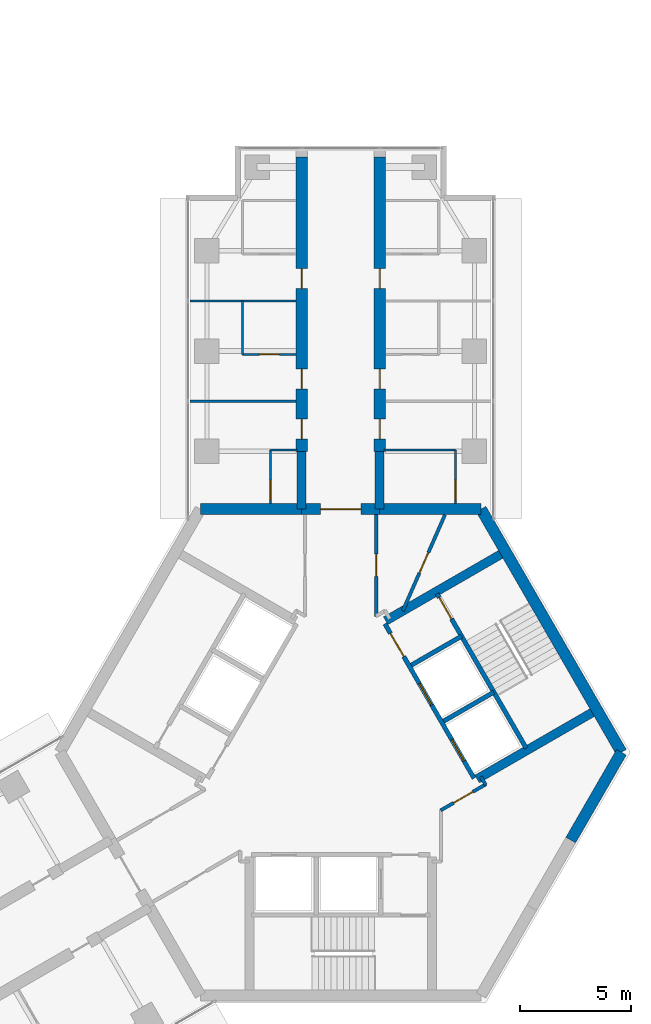
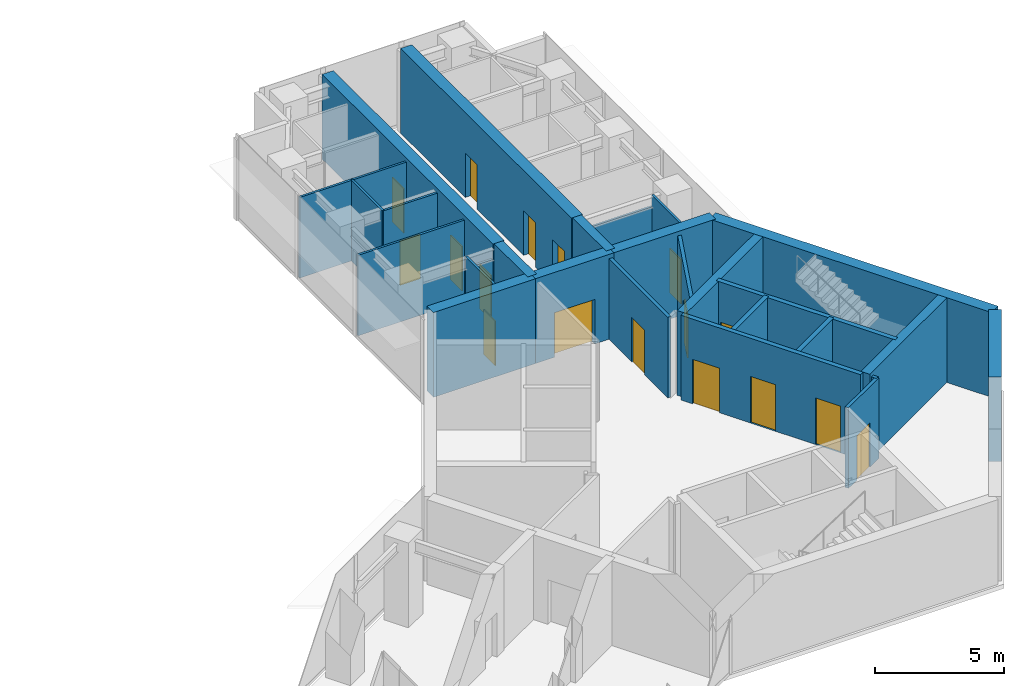
# One storey, part 15 of 18: 27 walls, 17 doors, 17 openings.
"""IFC4 building model written with IfcOpenShell, lengths in metres."""

from ifc_helpers import new_model, si_unit, direction, frame, frame_2d, origin, place, context, subcontext, project, spatial, rectangle, extrude, material, layer, layer_set, type_object, element, fill, save


model = new_model("IFC4")

# Units and contexts
model_context = context("Model", 3, precision=1e-05, world=origin(), true_north=direction((0.0, 1.0)))
body_context = subcontext(model_context, "Body", "Model", "MODEL_VIEW")
ifc_project = project(units=[si_unit("LENGTHUNIT", "METRE"), si_unit("AREAUNIT", "SQUARE_METRE"), si_unit("VOLUMEUNIT", "CUBIC_METRE"), si_unit("PLANEANGLEUNIT", "RADIAN"), si_unit("MASSUNIT", "GRAM", prefix="KILO")], contexts=[model_context])

# Site, building, storey
site_placement = place(None, origin())
site = spatial("IfcSite", under=ifc_project, at=site_placement, CompositionType="ELEMENT")
building_placement = place(site_placement, origin())
building = spatial("IfcBuilding", under=site, at=building_placement, Name="Upepo Twin Towers", CompositionType="ELEMENT")
storey_placement = place(building_placement, frame((0.0, 0.0, 222.5)))
storey = spatial("IfcBuildingStorey", under=building, at=storey_placement, Name="L54", CompositionType="ELEMENT", Elevation=222.5)

# Walls
ifc_material_1 = material(Name="Concrete C60/75", Category="concrete")
ifc_layer_1 = layer(ifc_material_1, 0.39990234375)
ifc_layer_set_1 = layer_set([ifc_layer_1], Name="Concrete C60/75")
wall_type_1 = type_object("IfcWallType", Name="Buttress wall 400 RC", PredefinedType="SHEAR", material=ifc_layer_set_1)
for number, where, z_axis, x_axis, name in (
    (1, (56.75, -7.091552734375, 0.0), (0.0, 0.0, 1.0), (0.0, 1.0, 0.0), "T2 wing A buttress wall L"),
    (2, (60.25, -7.091552734375, 0.0), (0.0, 0.0, 1.0), (0.0, 1.0, 0.0), "T2 wing A buttress wall R"),
):
    element("IfcWall", number, at=place(storey_placement, frame(where, z_axis=z_axis, x_axis=x_axis)), inside=storey, type_object=wall_type_1, Name=name, PredefinedType="SHEAR", context=body_context, shape_type="SweptSolid", body=[
        extrude(rectangle(XDim=2.591552734375, YDim=0.39990234375, at=frame_2d((1.2958984375, 0.0))), origin(), (0.0, 0.0, 1.0), 4.0),
    ])

# Wall, openings, doors
ifc_material_2 = material(Name="Concrete C60/75", Category="concrete")
ifc_layer_2 = layer(ifc_material_2, 0.5)
ifc_layer_set_2 = layer_set([ifc_layer_2], Name="Concrete C60/75")
wall_type_2 = type_object("IfcWallType", Name="Buttress wall 500 RC", PredefinedType="SHEAR", material=ifc_layer_set_2)
wall_1_placement = place(storey_placement, frame((56.75, -4.5, 0.0), z_axis=(0.0, 0.0, 1.0), x_axis=(0.0, 1.0, 0.0)))
wall_1 = element("IfcWall", 3, at=wall_1_placement, inside=storey, type_object=wall_type_2, Name="T2 wing A buttress wall L part 2", PredefinedType="SHEAR", context=body_context, shape_type="SweptSolid", body=[
    extrude(rectangle(XDim=13.199951171875, YDim=0.5, at=frame_2d((6.60009765625, 0.0))), origin(), (0.0, 0.0, 1.0), 4.0),
])
opening_1_placement = place(wall_1_placement, frame((0.550048828125, 0.0, 0.0)))
opening_1 = element("IfcOpeningElement", 4, at=opening_1_placement, cuts=wall_1, Name="Opening D11", PredefinedType="OPENING", context=body_context, shape_type="SweptSolid", body=[
    extrude(rectangle(XDim=0.89990234375, YDim=2.10009765625, at=frame_2d((0.449951171875, 1.050048828125))), frame((0.0, 0.260009765625, 0.0), z_axis=(0.0, -1.0, 0.0), x_axis=(1.0, 0.0, 0.0)), (0.0, 0.0, 1.0), 0.52001953125),
])
opening_2_placement = place(wall_1_placement, frame((2.800048828125, 0.0, 0.0)))
opening_2 = element("IfcOpeningElement", 5, at=opening_2_placement, cuts=wall_1, Name="Opening D14", PredefinedType="OPENING", context=body_context, shape_type="SweptSolid", body=[
    extrude(rectangle(XDim=0.89990234375, YDim=2.10009765625, at=frame_2d((0.449951171875, 1.050048828125))), frame((0.0, 0.260009765625, 0.0), z_axis=(0.0, -1.0, 0.0), x_axis=(1.0, 0.0, 0.0)), (0.0, 0.0, 1.0), 0.52001953125),
])
opening_3_placement = place(wall_1_placement, frame((7.300048828125, 0.0, 0.0)))
opening_3 = element("IfcOpeningElement", 6, at=opening_3_placement, cuts=wall_1, Name="Opening D14", PredefinedType="OPENING", context=body_context, shape_type="SweptSolid", body=[
    extrude(rectangle(XDim=0.89990234375, YDim=2.10009765625, at=frame_2d((0.449951171875, 1.050048828125))), frame((0.0, 0.260009765625, 0.0), z_axis=(0.0, -1.0, 0.0), x_axis=(1.0, 0.0, 0.0)), (0.0, 0.0, 1.0), 0.52001953125),
])
ifc_material_3 = material(Name="Timber doorset", Category="wood")
door_type_1 = type_object("IfcDoorType", Name="Office door 900 FD30", OperationType="SINGLE_SWING_LEFT", PredefinedType="DOOR", material=ifc_material_3)
door_1_placement = place(opening_2_placement, origin())
door_1 = element("IfcDoor", 7, at=door_1_placement, inside=storey, type_object=door_type_1, Name="T2 L54 staff office door", OperationType="SINGLE_SWING_LEFT", OverallHeight=2.10009765625, OverallWidth=0.89990234375, PredefinedType="DOOR", context=body_context, shape_type="SweptSolid", body=[
    extrude(rectangle(XDim=0.89990234375, YDim=2.10009765625, at=frame_2d((0.449951171875, 1.050048828125))), frame((0.0, 0.02490234375, 0.0), z_axis=(0.0, -1.0, 0.0), x_axis=(1.0, 0.0, 0.0)), (0.0, 0.0, 1.0), 0.050048828125),
])
fill(opening_2, door_1)
door_2_placement = place(opening_3_placement, origin())
door_2 = element("IfcDoor", 8, at=door_2_placement, inside=storey, type_object=door_type_1, Name="T2 L54 meeting room door", OperationType="SINGLE_SWING_RIGHT", OverallHeight=2.10009765625, OverallWidth=0.89990234375, PredefinedType="DOOR", context=body_context, shape_type="SweptSolid", body=[
    extrude(rectangle(XDim=0.89990234375, YDim=2.10009765625, at=frame_2d((0.449951171875, 1.050048828125))), frame((0.0, 0.02490234375, 0.0), z_axis=(0.0, -1.0, 0.0), x_axis=(1.0, 0.0, 0.0)), (0.0, 0.0, 1.0), 0.050048828125),
])
fill(opening_3, door_2)
ifc_material_4 = material(Name="Timber doorset", Category="wood")
door_type_2 = type_object("IfcDoorType", Name="Toilet door 900", OperationType="SINGLE_SWING_LEFT", PredefinedType="DOOR", material=ifc_material_4)
door_3_placement = place(opening_1_placement, origin())
door_3 = element("IfcDoor", 9, at=door_3_placement, inside=storey, type_object=door_type_2, Name="T2 L54 toilets door", OperationType="SINGLE_SWING_LEFT", OverallHeight=2.10009765625, OverallWidth=0.89990234375, PredefinedType="DOOR", context=body_context, shape_type="SweptSolid", body=[
    extrude(rectangle(XDim=0.89990234375, YDim=2.10009765625, at=frame_2d((0.449951171875, 1.050048828125))), frame((0.0, 0.02490234375, 0.0), z_axis=(0.0, -1.0, 0.0), x_axis=(1.0, 0.0, 0.0)), (0.0, 0.0, 1.0), 0.050048828125),
])
fill(opening_1, door_3)

wall_2_placement = place(storey_placement, frame((60.25, -4.5, 0.0), z_axis=(0.0, 0.0, 1.0), x_axis=(0.0, 1.0, 0.0)))
wall_2 = element("IfcWall", 10, at=wall_2_placement, inside=storey, type_object=wall_type_2, Name="T2 wing A buttress wall R part 2", PredefinedType="SHEAR", context=body_context, shape_type="SweptSolid", body=[
    extrude(rectangle(XDim=13.199951171875, YDim=0.5, at=frame_2d((6.60009765625, 0.0))), origin(), (0.0, 0.0, 1.0), 4.0),
])
opening_4_placement = place(wall_2_placement, frame((0.550048828125, 0.0, 0.0)))
opening_4 = element("IfcOpeningElement", 11, at=opening_4_placement, cuts=wall_2, Name="Opening D11", PredefinedType="OPENING", context=body_context, shape_type="SweptSolid", body=[
    extrude(rectangle(XDim=0.89990234375, YDim=2.10009765625, at=frame_2d((0.449951171875, 1.050048828125))), frame((0.0, 0.260009765625, 0.0), z_axis=(0.0, -1.0, 0.0), x_axis=(1.0, 0.0, 0.0)), (0.0, 0.0, 1.0), 0.52001953125),
])
opening_5_placement = place(wall_2_placement, frame((2.800048828125, 0.0, 0.0)))
opening_5 = element("IfcOpeningElement", 12, at=opening_5_placement, cuts=wall_2, Name="Opening D14", PredefinedType="OPENING", context=body_context, shape_type="SweptSolid", body=[
    extrude(rectangle(XDim=0.89990234375, YDim=2.10009765625, at=frame_2d((0.449951171875, 1.050048828125))), frame((0.0, 0.260009765625, 0.0), z_axis=(0.0, -1.0, 0.0), x_axis=(1.0, 0.0, 0.0)), (0.0, 0.0, 1.0), 0.52001953125),
])
opening_6_placement = place(wall_2_placement, frame((7.300048828125, 0.0, 0.0)))
opening_6 = element("IfcOpeningElement", 13, at=opening_6_placement, cuts=wall_2, Name="Opening D14", PredefinedType="OPENING", context=body_context, shape_type="SweptSolid", body=[
    extrude(rectangle(XDim=0.89990234375, YDim=2.10009765625, at=frame_2d((0.449951171875, 1.050048828125))), frame((0.0, 0.260009765625, 0.0), z_axis=(0.0, -1.0, 0.0), x_axis=(1.0, 0.0, 0.0)), (0.0, 0.0, 1.0), 0.52001953125),
])
door_4_placement = place(opening_5_placement, origin())
door_4 = element("IfcDoor", 14, at=door_4_placement, inside=storey, type_object=door_type_1, Name="T2 L54 staff office door", OperationType="SINGLE_SWING_LEFT", OverallHeight=2.10009765625, OverallWidth=0.89990234375, PredefinedType="DOOR", context=body_context, shape_type="SweptSolid", body=[
    extrude(rectangle(XDim=0.89990234375, YDim=2.10009765625, at=frame_2d((0.449951171875, 1.050048828125))), frame((0.0, 0.02490234375, 0.0), z_axis=(0.0, -1.0, 0.0), x_axis=(1.0, 0.0, 0.0)), (0.0, 0.0, 1.0), 0.050048828125),
])
fill(opening_5, door_4)
door_5_placement = place(opening_6_placement, origin())
door_5 = element("IfcDoor", 15, at=door_5_placement, inside=storey, type_object=door_type_1, Name="T2 L54 postgraduate office door", OperationType="SINGLE_SWING_RIGHT", OverallHeight=2.10009765625, OverallWidth=0.89990234375, PredefinedType="DOOR", context=body_context, shape_type="SweptSolid", body=[
    extrude(rectangle(XDim=0.89990234375, YDim=2.10009765625, at=frame_2d((0.449951171875, 1.050048828125))), frame((0.0, 0.02490234375, 0.0), z_axis=(0.0, -1.0, 0.0), x_axis=(1.0, 0.0, 0.0)), (0.0, 0.0, 1.0), 0.050048828125),
])
fill(opening_6, door_5)
door_6_placement = place(opening_4_placement, origin())
door_6 = element("IfcDoor", 16, at=door_6_placement, inside=storey, type_object=door_type_2, Name="T2 L54 accessible wc door", OperationType="SINGLE_SWING_LEFT", OverallHeight=2.10009765625, OverallWidth=0.89990234375, PredefinedType="DOOR", context=body_context, shape_type="SweptSolid", body=[
    extrude(rectangle(XDim=0.89990234375, YDim=2.10009765625, at=frame_2d((0.449951171875, 1.050048828125))), frame((0.0, 0.02490234375, 0.0), z_axis=(0.0, -1.0, 0.0), x_axis=(1.0, 0.0, 0.0)), (0.0, 0.0, 1.0), 0.050048828125),
])
fill(opening_4, door_6)

# Wall
ifc_material_5 = material(Name="Concrete C60/75", Category="concrete")
ifc_layer_3 = layer(ifc_material_5, 0.5)
ifc_layer_set_3 = layer_set([ifc_layer_3], Name="Concrete C60/75")
wall_type_3 = type_object("IfcWallType", Name="Core wall 500 RC", PredefinedType="SHEAR", material=ifc_layer_set_3)
wall_3_placement = place(storey_placement, frame((64.7978515625, -7.091552734375, 0.0), z_axis=(0.0, 0.0, 1.0), x_axis=(-1.0, 0.0, 0.0)))
element("IfcWall", 17, at=wall_3_placement, inside=storey, type_object=wall_type_3, Name="T2 core wall 000 R", PredefinedType="SHEAR", context=body_context, shape_type="SweptSolid", body=[
    extrude(rectangle(XDim=4.5478515625, YDim=0.5, at=frame_2d((2.27392578125, 0.0))), origin(), (0.0, 0.0, 1.0), 4.0),
])

# Wall, opening, door
wall_4_placement = place(storey_placement, frame((60.25, -7.091552734375, 0.0), z_axis=(0.0, 0.0, 1.0), x_axis=(-1.0, 0.0, 0.0)))
wall_4 = element("IfcWall", 18, at=wall_4_placement, inside=storey, type_object=wall_type_3, Name="T2 core wall 000", PredefinedType="SHEAR", context=body_context, shape_type="SweptSolid", body=[
    extrude(rectangle(XDim=3.5, YDim=0.5, at=frame_2d((1.75, 0.0))), origin(), (0.0, 0.0, 1.0), 4.0),
])
opening_7_placement = place(wall_4_placement, frame((0.85009765625, 0.0, 0.0)))
opening_7 = element("IfcOpeningElement", 19, at=opening_7_placement, cuts=wall_4, Name="Opening D2", PredefinedType="OPENING", context=body_context, shape_type="SweptSolid", body=[
    extrude(rectangle(XDim=1.800048828125, YDim=2.10009765625, at=frame_2d((0.89990234375, 1.050048828125))), frame((0.0, 0.260009765625, 0.0), z_axis=(0.0, -1.0, 0.0), x_axis=(1.0, 0.0, 0.0)), (0.0, 0.0, 1.0), 0.52001953125),
])
ifc_material_6 = material(Name="Timber doorset", Category="wood")
door_type_3 = type_object("IfcDoorType", Name="Corridor double door 1800 FD60", OperationType="DOUBLE_DOOR_DOUBLE_SWING", PredefinedType="DOOR", material=ifc_material_6)
door_7_placement = place(opening_7_placement, origin())
door_7 = element("IfcDoor", 20, at=door_7_placement, inside=storey, type_object=door_type_3, Name="T2 L54 wing A corridor door", OperationType="DOUBLE_DOOR_DOUBLE_SWING", OverallHeight=2.10009765625, OverallWidth=1.800048828125, PredefinedType="DOOR", context=body_context, shape_type="SweptSolid", body=[
    extrude(rectangle(XDim=1.800048828125, YDim=2.10009765625, at=frame_2d((0.89990234375, 1.050048828125))), frame((0.0, 0.02490234375, 0.0), z_axis=(0.0, -1.0, 0.0), x_axis=(1.0, 0.0, 0.0)), (0.0, 0.0, 1.0), 0.050048828125),
])
fill(opening_7, door_7)

# Walls
wall_5_placement = place(storey_placement, frame((56.75, -7.091552734375, 0.0), z_axis=(0.0, 0.0, 1.0), x_axis=(-1.0, 0.0, 0.0)))
element("IfcWall", 21, at=wall_5_placement, inside=storey, type_object=wall_type_3, Name="T2 core wall 000 L", PredefinedType="SHEAR", context=body_context, shape_type="SweptSolid", body=[
    extrude(rectangle(XDim=4.5478515625, YDim=0.5, at=frame_2d((2.27392578125, 0.0))), origin(), (0.0, 0.0, 1.0), 4.0),
])
wall_6_placement = place(storey_placement, frame((68.82177734375, -21.938720703125, 0.0), z_axis=(0.0, 0.0, 1.0), x_axis=(0.500024481964, 0.866011268655, 0.0)))
element("IfcWall", 22, at=wall_6_placement, inside=storey, type_object=wall_type_3, Name="T2 core wall 240 L", PredefinedType="SHEAR", context=body_context, shape_type="SweptSolid", body=[
    extrude(rectangle(XDim=4.548095703125, YDim=0.5, at=frame_2d((2.27392578125, 0.0))), origin(), (0.0, 0.0, 1.0), 4.0),
])
wall_7_placement = place(storey_placement, frame((71.095947265625, -18.0, 0.0), z_axis=(0.0, 0.0, 1.0), x_axis=(-0.500005998175, 0.866021940709, 0.0)))
element("IfcWall", 23, at=wall_7_placement, inside=storey, type_object=wall_type_3, Name="T2 core wall 300", PredefinedType="SHEAR", context=body_context, shape_type="SweptSolid", body=[
    extrude(rectangle(XDim=12.595947265625, YDim=0.5, at=frame_2d((6.2978515625, 0.0))), origin(), (0.0, 0.0, 1.0), 4.0),
])
ifc_material_7 = material(Name="Gypsum board on steel studs", Category="steel")
ifc_layer_4 = layer(ifc_material_7, 0.10009765625)
ifc_layer_set_4 = layer_set([ifc_layer_4], Name="Office partition 100 stud")
wall_type_4 = type_object("IfcWallType", Name="Office partition 100 stud", PredefinedType="PARTITIONING", material=ifc_layer_set_4)
for number, where, z_axis, x_axis, name in (
    (24, (56.5, -2.25, 0.0), (0.0, 0.0, 1.0), (-1.0, 0.0, 0.0), "T2 partition AL at 15.75"),
    (25, (56.5, 2.25, 0.0), (0.0, 0.0, 1.0), (-1.0, 0.0, 0.0), "T2 partition AL at 20.25"),
):
    element("IfcWall", number, at=place(storey_placement, frame(where, z_axis=z_axis, x_axis=x_axis)), inside=storey, type_object=wall_type_4, Name=name, PredefinedType="PARTITIONING", context=body_context, shape_type="SweptSolid", body=[
        extrude(rectangle(XDim=4.75, YDim=0.10009765625, at=frame_2d((2.375, 0.0))), origin(), (0.0, 0.0, 1.0), 3.800048828125),
    ])
wall_8_placement = place(storey_placement, frame((54.10009765625, -0.14990234375, 0.0), z_axis=(0.0, 0.0, 1.0), x_axis=(0.0, 1.0, 0.0)))
element("IfcWall", 26, at=wall_8_placement, inside=storey, type_object=wall_type_4, Name="T2 inner room partition AL at 17.85", PredefinedType="PARTITIONING", context=body_context, shape_type="SweptSolid", body=[
    extrude(rectangle(XDim=2.39990234375, YDim=0.10009765625, at=frame_2d((1.199951171875, 0.0))), origin(), (0.0, 0.0, 1.0), 3.800048828125),
])

# Wall, opening, door
wall_9_placement = place(storey_placement, frame((56.5, -0.14990234375, 0.0), z_axis=(0.0, 0.0, 1.0), x_axis=(-1.0, 0.0, 0.0)))
wall_9 = element("IfcWall", 27, at=wall_9_placement, inside=storey, type_object=wall_type_4, Name="T2 inner room partition AL end at 17.85", PredefinedType="PARTITIONING", context=body_context, shape_type="SweptSolid", body=[
    extrude(rectangle(XDim=2.39990234375, YDim=0.10009765625, at=frame_2d((1.199951171875, 0.0))), origin(), (0.0, 0.0, 1.0), 3.800048828125),
])
opening_8_placement = place(wall_9_placement, frame((0.75, 0.0, 0.0)))
opening_8 = element("IfcOpeningElement", 28, at=opening_8_placement, cuts=wall_9, Name="Opening D14", PredefinedType="OPENING", context=body_context, shape_type="SweptSolid", body=[
    extrude(rectangle(XDim=0.89990234375, YDim=2.10009765625, at=frame_2d((0.449951171875, 1.050048828125))), frame((0.0, 0.06005859375, 0.0), z_axis=(0.0, -1.0, 0.0), x_axis=(1.0, 0.0, 0.0)), (0.0, 0.0, 1.0), 0.1201171875),
])
door_8_placement = place(opening_8_placement, origin())
door_8 = element("IfcDoor", 29, at=door_8_placement, inside=storey, type_object=door_type_1, Name="T2 L54 inner room door", OperationType="SINGLE_SWING_LEFT", OverallHeight=2.10009765625, OverallWidth=0.89990234375, PredefinedType="DOOR", context=body_context, shape_type="SweptSolid", body=[
    extrude(rectangle(XDim=0.89990234375, YDim=2.10009765625, at=frame_2d((0.449951171875, 1.050048828125))), frame((0.0, 0.02490234375, 0.0), z_axis=(0.0, -1.0, 0.0), x_axis=(1.0, 0.0, 0.0)), (0.0, 0.0, 1.0), 0.050048828125),
])
fill(opening_8, door_8)

wall_10_placement = place(storey_placement, frame((55.35009765625, -6.842041015625, 0.0), z_axis=(0.0, 0.0, 1.0), x_axis=(0.0, 1.0, 0.0)))
wall_10 = element("IfcWall", 30, at=wall_10_placement, inside=storey, type_object=wall_type_4, Name="T2 WC bay partition AL at 11.16", PredefinedType="PARTITIONING", context=body_context, shape_type="SweptSolid", body=[
    extrude(rectangle(XDim=2.400146484375, YDim=0.10009765625, at=frame_2d((1.2001953125, 0.0))), origin(), (0.0, 0.0, 1.0), 3.800048828125),
])
opening_9_placement = place(wall_10_placement, frame((0.14990234375, 0.0, 0.0)))
opening_9 = element("IfcOpeningElement", 31, at=opening_9_placement, cuts=wall_10, Name="Opening D14", PredefinedType="OPENING", context=body_context, shape_type="SweptSolid", body=[
    extrude(rectangle(XDim=0.89990234375, YDim=2.10009765625, at=frame_2d((0.449951171875, 1.050048828125))), frame((0.0, 0.06005859375, 0.0), z_axis=(0.0, -1.0, 0.0), x_axis=(1.0, 0.0, 0.0)), (0.0, 0.0, 1.0), 0.1201171875),
])
door_9_placement = place(opening_9_placement, origin())
door_9 = element("IfcDoor", 32, at=door_9_placement, inside=storey, type_object=door_type_1, Name="T2 L54 WC bay inner room door", OperationType="SINGLE_SWING_LEFT", OverallHeight=2.10009765625, OverallWidth=0.89990234375, PredefinedType="DOOR", context=body_context, shape_type="SweptSolid", body=[
    extrude(rectangle(XDim=0.89990234375, YDim=2.10009765625, at=frame_2d((0.449951171875, 1.050048828125))), frame((0.0, 0.02490234375, 0.0), z_axis=(0.0, -1.0, 0.0), x_axis=(1.0, 0.0, 0.0)), (0.0, 0.0, 1.0), 0.050048828125),
])
fill(opening_9, door_9)

# Wall
wall_11_placement = place(storey_placement, frame((56.550048828125, -4.44189453125, 0.0), z_axis=(0.0, 0.0, 1.0), x_axis=(-1.0, 0.0, 0.0)))
element("IfcWall", 33, at=wall_11_placement, inside=storey, type_object=wall_type_4, Name="T2 WC bay partition AL end at 13.56", PredefinedType="PARTITIONING", context=body_context, shape_type="SweptSolid", body=[
    extrude(rectangle(XDim=1.199951171875, YDim=0.10009765625, at=frame_2d((0.60009765625, 0.0))), origin(), (0.0, 0.0, 1.0), 3.266845703125),
])

# Wall, opening, door
wall_12_placement = place(storey_placement, frame((63.64990234375, -6.842041015625, 0.0), z_axis=(0.0, 0.0, 1.0), x_axis=(0.0, 1.0, 0.0)))
wall_12 = element("IfcWall", 34, at=wall_12_placement, inside=storey, type_object=wall_type_4, Name="T2 WC bay partition AR at 11.16", PredefinedType="PARTITIONING", context=body_context, shape_type="SweptSolid", body=[
    extrude(rectangle(XDim=2.400146484375, YDim=0.10009765625, at=frame_2d((1.2001953125, 0.0))), origin(), (0.0, 0.0, 1.0), 3.800048828125),
])
opening_10_placement = place(wall_12_placement, frame((0.14990234375, 0.0, 0.0)))
opening_10 = element("IfcOpeningElement", 35, at=opening_10_placement, cuts=wall_12, Name="Opening D14", PredefinedType="OPENING", context=body_context, shape_type="SweptSolid", body=[
    extrude(rectangle(XDim=0.89990234375, YDim=2.10009765625, at=frame_2d((0.449951171875, 1.050048828125))), frame((0.0, 0.06005859375, 0.0), z_axis=(0.0, -1.0, 0.0), x_axis=(1.0, 0.0, 0.0)), (0.0, 0.0, 1.0), 0.1201171875),
])
door_10_placement = place(opening_10_placement, origin())
door_10 = element("IfcDoor", 36, at=door_10_placement, inside=storey, type_object=door_type_1, Name="T2 L54 WC bay inner room door", OperationType="SINGLE_SWING_LEFT", OverallHeight=2.10009765625, OverallWidth=0.89990234375, PredefinedType="DOOR", context=body_context, shape_type="SweptSolid", body=[
    extrude(rectangle(XDim=0.89990234375, YDim=2.10009765625, at=frame_2d((0.449951171875, 1.050048828125))), frame((0.0, 0.02490234375, 0.0), z_axis=(0.0, -1.0, 0.0), x_axis=(1.0, 0.0, 0.0)), (0.0, 0.0, 1.0), 0.050048828125),
])
fill(opening_10, door_10)

# Wall
wall_13_placement = place(storey_placement, frame((60.449951171875, -4.44189453125, 0.0), z_axis=(0.0, 0.0, 1.0), x_axis=(1.0, 0.0, 0.0)))
element("IfcWall", 37, at=wall_13_placement, inside=storey, type_object=wall_type_4, Name="T2 WC bay partition AR end at 13.56", PredefinedType="PARTITIONING", context=body_context, shape_type="SweptSolid", body=[
    extrude(rectangle(XDim=3.199951171875, YDim=0.10009765625, at=frame_2d((1.60009765625, 0.0))), origin(), (0.0, 0.0, 1.0), 3.266845703125),
])

# Wall, openings, doors
ifc_material_8 = material(Name="Concrete C40/50", Category="concrete")
ifc_layer_5 = layer(ifc_material_8, 0.199951171875)
ifc_layer_set_5 = layer_set([ifc_layer_5], Name="Concrete C40/50")
wall_type_5 = type_object("IfcWallType", Name="Shaft wall 200 RC", PredefinedType="SHEAR", material=ifc_layer_set_5)
wall_14_placement = place(storey_placement, frame((64.483642578125, -19.1640625, 0.0), z_axis=(0.0, 0.0, 1.0), x_axis=(-0.49999894854, 0.866026010844, 0.0)))
wall_14 = element("IfcWall", 38, at=wall_14_placement, inside=storey, type_object=wall_type_5, Name="T2 core W300 front wall", PredefinedType="SHEAR", context=body_context, shape_type="SweptSolid", body=[
    extrude(rectangle(XDim=8.0, YDim=0.199951171875, at=frame_2d((4.0, 0.0))), origin(), (0.0, 0.0, 1.0), 4.0),
])
opening_11_placement = place(wall_14_placement, frame((6.300048828125, 0.0, 0.0)))
opening_11 = element("IfcOpeningElement", 39, at=opening_11_placement, cuts=wall_14, Name="Opening D4", PredefinedType="OPENING", context=body_context, shape_type="SweptSolid", body=[
    extrude(rectangle(XDim=1.199951171875, YDim=2.10009765625, at=frame_2d((0.60009765625, 1.050048828125))), frame((0.0, 0.10986328125, 0.0), z_axis=(0.0, -1.0, 0.0), x_axis=(1.0, 0.0, 0.0)), (0.0, 0.0, 1.0), 0.219970703125),
])
opening_12_placement = place(wall_14_placement, frame((0.89990234375, 0.0, 0.0)))
opening_12 = element("IfcOpeningElement", 40, at=opening_12_placement, cuts=wall_14, Name="Opening LD1", PredefinedType="OPENING", context=body_context, shape_type="SweptSolid", body=[
    extrude(rectangle(XDim=1.10009765625, YDim=2.199951171875, at=frame_2d((0.550048828125, 1.10009765625))), frame((0.0, 0.10986328125, 0.0), z_axis=(0.0, -1.0, 0.0), x_axis=(1.0, 0.0, 0.0)), (0.0, 0.0, 1.0), 0.219970703125),
])
opening_13_placement = place(wall_14_placement, frame((3.800048828125, 0.0, 0.0)))
opening_13 = element("IfcOpeningElement", 41, at=opening_13_placement, cuts=wall_14, Name="Opening LD1", PredefinedType="OPENING", context=body_context, shape_type="SweptSolid", body=[
    extrude(rectangle(XDim=1.10009765625, YDim=2.199951171875, at=frame_2d((0.550048828125, 1.10009765625))), frame((0.0, 0.10986328125, 0.0), z_axis=(0.0, -1.0, 0.0), x_axis=(1.0, 0.0, 0.0)), (0.0, 0.0, 1.0), 0.219970703125),
])
ifc_material_9 = material(Name="Steel doorset", Category="steel")
door_type_4 = type_object("IfcDoorType", Name="Lift landing door 1100", OperationType="DOUBLE_DOOR_SLIDING", PredefinedType="DOOR", material=ifc_material_9)
door_11_placement = place(opening_12_placement, origin())
door_11 = element("IfcDoor", 42, at=door_11_placement, inside=storey, type_object=door_type_4, Name="T2 L54 lift UL1 landing door", OperationType="DOUBLE_DOOR_SLIDING", OverallHeight=2.199951171875, OverallWidth=1.10009765625, PredefinedType="DOOR", context=body_context, shape_type="SweptSolid", body=[
    extrude(rectangle(XDim=1.10009765625, YDim=2.199951171875, at=frame_2d((0.550048828125, 1.10009765625))), frame((0.0, 0.02490234375, 0.0), z_axis=(0.0, -1.0, 0.0), x_axis=(1.0, 0.0, 0.0)), (0.0, 0.0, 1.0), 0.050048828125),
])
fill(opening_12, door_11)
door_12_placement = place(opening_13_placement, origin())
door_12 = element("IfcDoor", 43, at=door_12_placement, inside=storey, type_object=door_type_4, Name="T2 L54 lift UL2 landing door", OperationType="DOUBLE_DOOR_SLIDING", OverallHeight=2.199951171875, OverallWidth=1.10009765625, PredefinedType="DOOR", context=body_context, shape_type="SweptSolid", body=[
    extrude(rectangle(XDim=1.10009765625, YDim=2.199951171875, at=frame_2d((0.550048828125, 1.10009765625))), frame((0.0, 0.02490234375, 0.0), z_axis=(0.0, -1.0, 0.0), x_axis=(1.0, 0.0, 0.0)), (0.0, 0.0, 1.0), 0.050048828125),
])
fill(opening_13, door_12)
ifc_material_10 = material(Name="Timber doorset", Category="wood")
door_type_5 = type_object("IfcDoorType", Name="Lobby door 1200 FD60", OperationType="SINGLE_SWING_LEFT", PredefinedType="DOOR", material=ifc_material_10)
door_13_placement = place(opening_11_placement, origin())
door_13 = element("IfcDoor", 44, at=door_13_placement, inside=storey, type_object=door_type_5, Name="T2 L54 W300 lobby door", OperationType="SINGLE_SWING_RIGHT", OverallHeight=2.10009765625, OverallWidth=1.199951171875, PredefinedType="DOOR", context=body_context, shape_type="SweptSolid", body=[
    extrude(rectangle(XDim=1.199951171875, YDim=2.10009765625, at=frame_2d((0.60009765625, 1.050048828125))), frame((0.0, 0.02490234375, 0.0), z_axis=(0.0, -1.0, 0.0), x_axis=(1.0, 0.0, 0.0)), (0.0, 0.0, 1.0), 0.050048828125),
])
fill(opening_11, door_13)

# Walls
wall_15_placement = place(storey_placement, frame((63.120361328125, -16.6025390625, 0.0), z_axis=(0.0, 0.0, 1.0), x_axis=(0.866062058628, 0.499936506574, 0.0)))
element("IfcWall", 45, at=wall_15_placement, inside=storey, type_object=wall_type_5, Name="T2 core W300 shaft divider", PredefinedType="SHEAR", context=body_context, shape_type="SweptSolid", body=[
    extrude(rectangle(XDim=2.599853515625, YDim=0.199951171875, at=frame_2d((1.2998046875, 0.0))), origin(), (0.0, 0.0, 1.0), 4.0),
])
wall_16_placement = place(storey_placement, frame((61.67041015625, -14.091064453125, 0.0), z_axis=(0.0, 0.0, 1.0), x_axis=(0.86603858612, 0.49997716683, 0.0)))
element("IfcWall", 46, at=wall_16_placement, inside=storey, type_object=wall_type_5, Name="T2 core W300 lobby wall", PredefinedType="SHEAR", context=body_context, shape_type="SweptSolid", body=[
    extrude(rectangle(XDim=2.599609375, YDim=0.199951171875, at=frame_2d((1.2998046875, 0.0))), origin(), (0.0, 0.0, 1.0), 4.0),
])

# Wall, opening, door
wall_17_placement = place(storey_placement, frame((66.822021484375, -17.814208984375, 0.0), z_axis=(0.0, 0.0, 1.0), x_axis=(-0.49999894854, 0.866026010844, 0.0)))
wall_17 = element("IfcWall", 47, at=wall_17_placement, inside=storey, type_object=wall_type_5, Name="T2 core W300 stair wall", PredefinedType="SHEAR", context=body_context, shape_type="SweptSolid", body=[
    extrude(rectangle(XDim=8.0, YDim=0.199951171875, at=frame_2d((4.0, 0.0))), origin(), (0.0, 0.0, 1.0), 4.0),
])
opening_14_placement = place(wall_17_placement, frame((6.699951171875, 0.0, 0.0)))
opening_14 = element("IfcOpeningElement", 48, at=opening_14_placement, cuts=wall_17, Name="Opening D3", PredefinedType="OPENING", context=body_context, shape_type="SweptSolid", body=[
    extrude(rectangle(XDim=1.10009765625, YDim=2.10009765625, at=frame_2d((0.550048828125, 1.050048828125))), frame((0.0, 0.10986328125, 0.0), z_axis=(0.0, -1.0, 0.0), x_axis=(1.0, 0.0, 0.0)), (0.0, 0.0, 1.0), 0.219970703125),
])
ifc_material_11 = material(Name="Timber doorset", Category="wood")
door_type_6 = type_object("IfcDoorType", Name="Stair door 1100 FD60", OperationType="SINGLE_SWING_LEFT", PredefinedType="DOOR", material=ifc_material_11)
door_14_placement = place(opening_14_placement, origin())
door_14 = element("IfcDoor", 49, at=door_14_placement, inside=storey, type_object=door_type_6, Name="T2 L54 stair door", OperationType="SINGLE_SWING_RIGHT", OverallHeight=2.10009765625, OverallWidth=1.10009765625, PredefinedType="DOOR", context=body_context, shape_type="SweptSolid", body=[
    extrude(rectangle(XDim=1.10009765625, YDim=2.10009765625, at=frame_2d((0.550048828125, 1.050048828125))), frame((0.0, 0.02490234375, 0.0), z_axis=(0.0, -1.0, 0.0), x_axis=(1.0, 0.0, 0.0)), (0.0, 0.0, 1.0), 0.050048828125),
])
fill(opening_14, door_14)

# Walls
ifc_material_12 = material(Name="Concrete C40/50", Category="concrete")
ifc_layer_6 = layer(ifc_material_12, 0.39990234375)
ifc_layer_set_6 = layer_set([ifc_layer_6], Name="Concrete C40/50")
wall_type_6 = type_object("IfcWallType", Name="Shaft wall 400 RC", PredefinedType="SHEAR", material=ifc_layer_set_6)
wall_18_placement = place(storey_placement, frame((60.520263671875, -12.099365234375, 0.0), z_axis=(0.0, 0.0, 1.0), x_axis=(0.86602319114, 0.500003832394, 0.0)))
element("IfcWall", 50, at=wall_18_placement, inside=storey, type_object=wall_type_6, Name="T2 core W300 side wall N", PredefinedType="SHEAR", context=body_context, shape_type="SweptSolid", body=[
    extrude(rectangle(XDim=5.95849609375, YDim=0.39990234375, at=frame_2d((2.979248046875, 0.0))), origin(), (0.0, 0.0, 1.0), 4.0),
])
wall_19_placement = place(storey_placement, frame((64.620361328125, -19.20068359375, 0.0), z_axis=(0.0, 0.0, 1.0), x_axis=(0.866012946976, 0.500021575205, 0.0)))
element("IfcWall", 51, at=wall_19_placement, inside=storey, type_object=wall_type_6, Name="T2 core W300 side wall S", PredefinedType="SHEAR", context=body_context, shape_type="SweptSolid", body=[
    extrude(rectangle(XDim=5.958251953125, YDim=0.39990234375, at=frame_2d((2.97900390625, 0.0))), origin(), (0.0, 0.0, 1.0), 4.0),
])

# Wall, opening, door
ifc_material_13 = material(Name="Gypsum board on steel studs", Category="steel")
ifc_layer_7 = layer(ifc_material_13, 0.14990234375)
ifc_layer_set_7 = layer_set([ifc_layer_7], Name="Teaching partition 150 acoustic")
wall_type_7 = type_object("IfcWallType", Name="Teaching partition 150 acoustic", PredefinedType="PARTITIONING", material=ifc_layer_set_7)
wall_20_placement = place(storey_placement, frame((60.10009765625, -7.331787109375, 0.0), z_axis=(0.0, 0.0, 1.0), x_axis=(0.0, -1.0, 0.0)))
wall_20 = element("IfcWall", 52, at=wall_20_placement, inside=storey, type_object=wall_type_7, Name="T2 core room partition 11", PredefinedType="PARTITIONING", context=body_context, shape_type="SweptSolid", body=[
    extrude(rectangle(XDim=4.568359375, YDim=0.14990234375, at=frame_2d((2.2841796875, 0.0))), origin(), (0.0, 0.0, 1.0), 3.800048828125),
])
opening_15_placement = place(wall_20_placement, frame((1.774169921875, 0.0, 0.0)))
opening_15 = element("IfcOpeningElement", 53, at=opening_15_placement, cuts=wall_20, Name="Opening D1", PredefinedType="OPENING", context=body_context, shape_type="SweptSolid", body=[
    extrude(rectangle(XDim=1.0, YDim=2.10009765625, at=frame_2d((0.5, 1.050048828125))), frame((0.0, 0.0849609375, 0.0), z_axis=(0.0, -1.0, 0.0), x_axis=(1.0, 0.0, 0.0)), (0.0, 0.0, 1.0), 0.169921875),
])
ifc_material_14 = material(Name="Timber doorset", Category="wood")
door_type_7 = type_object("IfcDoorType", Name="Room door 1000 FD30", OperationType="SINGLE_SWING_LEFT", PredefinedType="DOOR", material=ifc_material_14)
door_15_placement = place(opening_15_placement, origin())
door_15 = element("IfcDoor", 54, at=door_15_placement, inside=storey, type_object=door_type_7, Name="T2 L54 core room door K4", OperationType="SINGLE_SWING_LEFT", OverallHeight=2.10009765625, OverallWidth=1.0, PredefinedType="DOOR", context=body_context, shape_type="SweptSolid", body=[
    extrude(rectangle(XDim=1.0, YDim=2.10009765625, at=frame_2d((0.5, 1.050048828125))), frame((0.0, 0.02490234375, 0.0), z_axis=(0.0, -1.0, 0.0), x_axis=(1.0, 0.0, 0.0)), (0.0, 0.0, 1.0), 0.050048828125),
])
fill(opening_15, door_15)

# Wall
wall_21_placement = place(storey_placement, frame((64.78857421875, -19.092041015625, 0.0), z_axis=(0.0, 0.0, 1.0), x_axis=(0.499804398801, -0.866138304741, 0.0)))
element("IfcWall", 55, at=wall_21_placement, inside=storey, type_object=wall_type_7, Name="T2 core room partition 14", PredefinedType="PARTITIONING", context=body_context, shape_type="SweptSolid", body=[
    extrude(rectangle(XDim=0.429931640625, YDim=0.14990234375, at=frame_2d((0.21484375, 0.0))), origin(), (0.0, 0.0, 1.0), 3.800048828125),
])

# Wall, opening, door
wall_22_placement = place(storey_placement, frame((65.0107421875, -19.43701171875, 0.0), z_axis=(0.0, 0.0, 1.0), x_axis=(-0.865982457891, -0.500074377092, 0.0)))
wall_22 = element("IfcWall", 56, at=wall_22_placement, inside=storey, type_object=wall_type_7, Name="T2 core room partition 15", PredefinedType="PARTITIONING", context=body_context, shape_type="SweptSolid", body=[
    extrude(rectangle(XDim=2.342041015625, YDim=0.14990234375, at=frame_2d((1.1708984375, 0.0))), origin(), (0.0, 0.0, 1.0), 3.800048828125),
])
opening_16_placement = place(wall_22_placement, frame((0.6708984375, 0.0, 0.0)))
opening_16 = element("IfcOpeningElement", 57, at=opening_16_placement, cuts=wall_22, Name="Opening D1", PredefinedType="OPENING", context=body_context, shape_type="SweptSolid", body=[
    extrude(rectangle(XDim=1.0, YDim=2.10009765625, at=frame_2d((0.5, 1.050048828125))), frame((0.0, 0.0849609375, 0.0), z_axis=(0.0, -1.0, 0.0), x_axis=(1.0, 0.0, 0.0)), (0.0, 0.0, 1.0), 0.169921875),
])
door_16_placement = place(opening_16_placement, origin())
door_16 = element("IfcDoor", 58, at=door_16_placement, inside=storey, type_object=door_type_7, Name="T2 L54 core room door K3", OperationType="SINGLE_SWING_RIGHT", OverallHeight=2.10009765625, OverallWidth=1.0, PredefinedType="DOOR", context=body_context, shape_type="SweptSolid", body=[
    extrude(rectangle(XDim=1.0, YDim=2.10009765625, at=frame_2d((0.5, 1.050048828125))), frame((0.0, 0.02490234375, 0.0), z_axis=(0.0, -1.0, 0.0), x_axis=(1.0, 0.0, 0.0)), (0.0, 0.0, 1.0), 0.050048828125),
])
fill(opening_16, door_16)

wall_23_placement = place(storey_placement, frame((61.28515625, -11.65771484375, 0.0), z_axis=(0.0, 0.0, 1.0), x_axis=(0.402073730919, 0.915607292951, 0.0)))
wall_23 = element("IfcWall", 59, at=wall_23_placement, inside=storey, type_object=wall_type_7, Name="T2 core room partition 17", PredefinedType="PARTITIONING", context=body_context, shape_type="SweptSolid", body=[
    extrude(rectangle(XDim=4.713623046875, YDim=0.14990234375, at=frame_2d((2.35693359375, 0.0))), origin(), (0.0, 0.0, 1.0), 3.800048828125),
])
opening_17_placement = place(wall_23_placement, frame((1.85693359375, 0.0, 0.0)))
opening_17 = element("IfcOpeningElement", 60, at=opening_17_placement, cuts=wall_23, Name="Opening D1", PredefinedType="OPENING", context=body_context, shape_type="SweptSolid", body=[
    extrude(rectangle(XDim=1.0, YDim=2.10009765625, at=frame_2d((0.5, 1.050048828125))), frame((0.0, 0.0849609375, 0.0), z_axis=(0.0, -1.0, 0.0), x_axis=(1.0, 0.0, 0.0)), (0.0, 0.0, 1.0), 0.169921875),
])
door_17_placement = place(opening_17_placement, origin())
door_17 = element("IfcDoor", 61, at=door_17_placement, inside=storey, type_object=door_type_7, Name="T2 L54 core room door K5", OperationType="SINGLE_SWING_LEFT", OverallHeight=2.10009765625, OverallWidth=1.0, PredefinedType="DOOR", context=body_context, shape_type="SweptSolid", body=[
    extrude(rectangle(XDim=1.0, YDim=2.10009765625, at=frame_2d((0.5, 1.050048828125))), frame((0.0, 0.02490234375, 0.0), z_axis=(0.0, -1.0, 0.0), x_axis=(1.0, 0.0, 0.0)), (0.0, 0.0, 1.0), 0.050048828125),
])
fill(opening_17, door_17)

save(model, "model.ifc")
